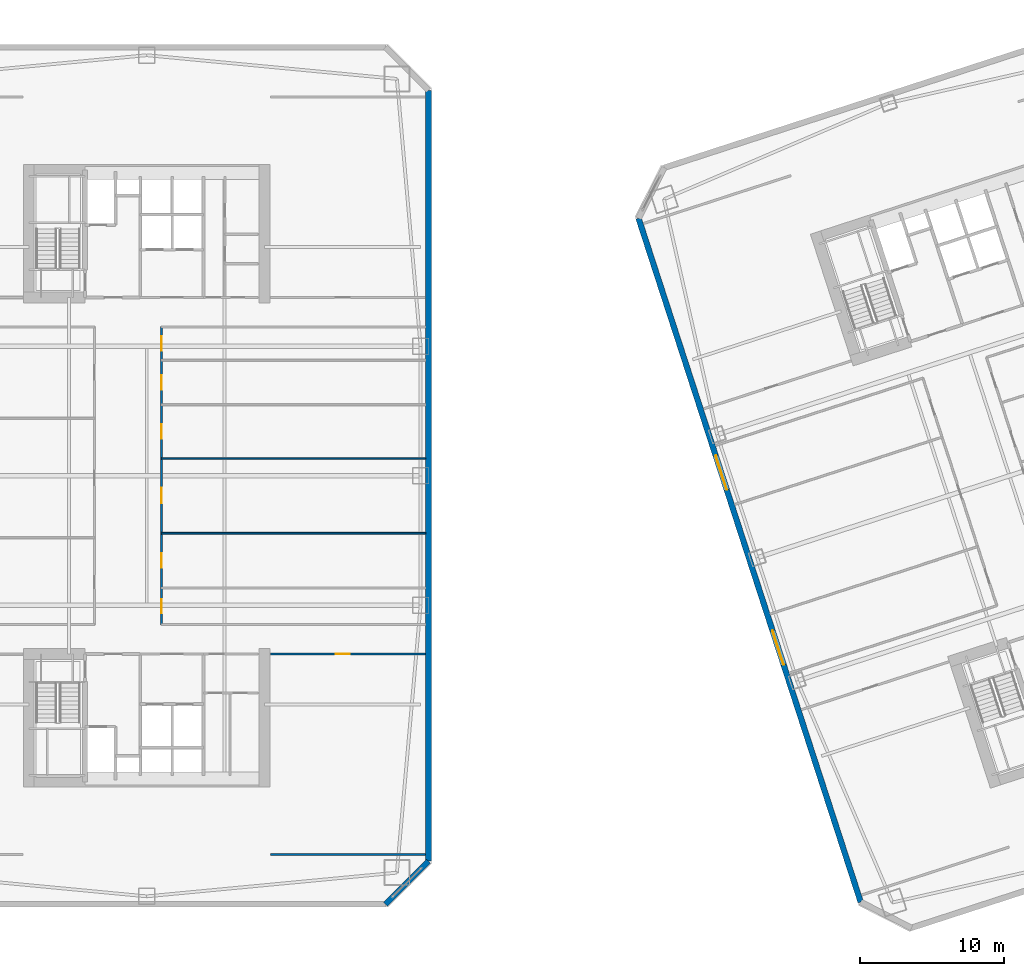
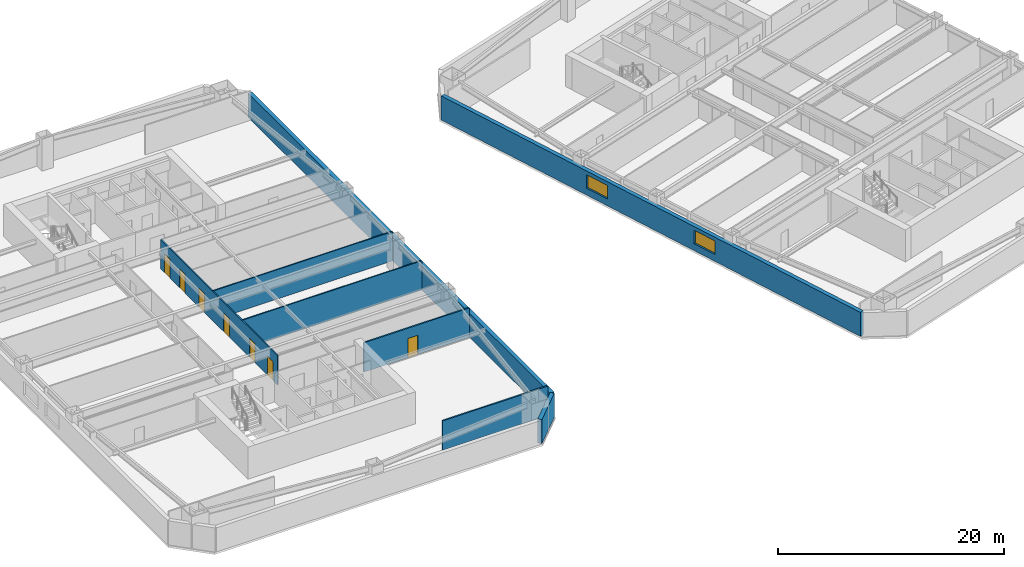
# One storey, part 11 of 19: 8 walls, 7 doors, 2 windows, 9 openings.
"""IFC4 building model written with IfcOpenShell, lengths in metres."""

from ifc_helpers import new_model, si_unit, direction, frame, frame_2d, origin, place, context, subcontext, project, spatial, rectangle, extrude, material, layer, layer_set, type_object, element, fill, save


model = new_model("IFC4")

# Units and contexts
model_context = context("Model", 3, precision=1e-05, world=origin(), true_north=direction((0.0, 1.0)))
body_context = subcontext(model_context, "Body", "Model", "MODEL_VIEW")
ifc_project = project(units=[si_unit("LENGTHUNIT", "METRE"), si_unit("AREAUNIT", "SQUARE_METRE"), si_unit("VOLUMEUNIT", "CUBIC_METRE"), si_unit("PLANEANGLEUNIT", "RADIAN"), si_unit("MASSUNIT", "GRAM", prefix="KILO")], contexts=[model_context])

# Site, building, storey
site_placement = place(None, origin())
site = spatial("IfcSite", under=ifc_project, at=site_placement, CompositionType="ELEMENT")
building_placement = place(site_placement, origin())
building = spatial("IfcBuilding", under=site, at=building_placement, Name="Qiaolan Cultural Towers", CompositionType="ELEMENT")
storey_placement = place(building_placement, frame((0.0, 0.0, 54.050048828125)))
storey = spatial("IfcBuildingStorey", under=building, at=storey_placement, Name="L12", CompositionType="ELEMENT", Elevation=54.050048828125)

# Walls
ifc_material_1 = material(Name="Precast Concrete C50 Honed Stone Pier", Category="masonry")
ifc_layer_1 = layer(ifc_material_1, 0.39990234375)
ifc_layer_set_1 = layer_set([ifc_layer_1], Name="Precast Concrete C50 Honed Stone Pier")
wall_type_1 = type_object("IfcWallType", Name="WL-EXT-PIER-400", PredefinedType="SOLIDWALL", material=ifc_layer_set_1)
wall_1_placement = place(storey_placement, frame((49.60009765625, 60.800048828125, 0.0), z_axis=(0.0, 0.0, 1.0), x_axis=(0.0, -1.0, 0.0)))
element("IfcWall", 1, at=wall_1_placement, inside=storey, type_object=wall_type_1, Name="L12 West Tower Precast Pier Facade Wall F5", PredefinedType="SOLIDWALL", context=body_context, shape_type="SweptSolid", body=[
    extrude(rectangle(XDim=53.60009765625, YDim=0.39990234375, at=frame_2d((26.800048828125, 0.0))), origin(), (0.0, 0.0, 1.0), 2.60986328125),
])
wall_2_placement = place(storey_placement, frame((49.60009765625, 7.199951171875, 0.0), z_axis=(0.0, 0.0, 1.0), x_axis=(-0.707106781187, -0.707106781187, 0.0)))
element("IfcWall", 2, at=wall_2_placement, inside=storey, type_object=wall_type_1, Name="L12 West Tower Precast Pier Facade Wall F6", PredefinedType="SOLIDWALL", context=body_context, shape_type="SweptSolid", body=[
    extrude(rectangle(XDim=4.24267578125, YDim=0.39990234375, at=frame_2d((2.121337890625, 0.0))), origin(), (0.0, 0.0, 1.0), 2.60986328125),
])

# Wall, openings, windows
wall_3_placement = place(storey_placement, frame((79.6552734375, 4.352294921875, 0.0), z_axis=(0.0, 0.0, 1.0), x_axis=(-0.309014526607, 0.951057318118, 0.0)))
wall_3 = element("IfcWall", 3, at=wall_3_placement, inside=storey, type_object=wall_type_1, Name="L12 East Tower Precast Pier Facade Wall F1", PredefinedType="SOLIDWALL", context=body_context, shape_type="SweptSolid", body=[
    extrude(rectangle(XDim=49.999755859375, YDim=0.39990234375, at=frame_2d((25.0, 0.0))), origin(), (0.0, 0.0, 1.0), 2.60986328125),
])
opening_1_placement = place(wall_3_placement, frame((17.35009765625, 0.0, 0.75)))
opening_1 = element("IfcOpeningElement", 4, at=opening_1_placement, cuts=wall_3, Name="Opening W-01", PredefinedType="OPENING", context=body_context, shape_type="SweptSolid", body=[
    extrude(rectangle(XDim=2.5, YDim=1.4599609375, at=frame_2d((1.25, 0.72998046875))), frame((0.0, 0.2099609375, 0.0), z_axis=(0.0, -1.0, 0.0), x_axis=(1.0, 0.0, 0.0)), (0.0, 0.0, 1.0), 0.419921875),
])
opening_2_placement = place(wall_3_placement, frame((30.14990234375, 0.0, 0.75)))
opening_2 = element("IfcOpeningElement", 5, at=opening_2_placement, cuts=wall_3, Name="Opening W-01", PredefinedType="OPENING", context=body_context, shape_type="SweptSolid", body=[
    extrude(rectangle(XDim=2.5, YDim=1.4599609375, at=frame_2d((1.25, 0.72998046875))), frame((0.0, 0.2099609375, 0.0), z_axis=(0.0, -1.0, 0.0), x_axis=(1.0, 0.0, 0.0)), (0.0, 0.0, 1.0), 0.419921875),
])
ifc_material_2 = material(Name="Thermally Broken Aluminium Triple Low-E Glazing", Category="aluminium")
window_type = type_object("IfcWindowType", Name="WN-CHIC-2500", PartitioningType="SINGLE_PANEL", PredefinedType="WINDOW", material=ifc_material_2)
window_1_placement = place(opening_1_placement, origin())
window_1 = element("IfcWindow", 6, at=window_1_placement, inside=storey, type_object=window_type, Name="L12 T2 W Chicago Bay Window 1", OverallHeight=1.4599609375, OverallWidth=2.5, PartitioningType="TRIPLE_PANEL_VERTICAL", PredefinedType="WINDOW", context=body_context, shape_type="SweptSolid", body=[
    extrude(rectangle(XDim=2.5, YDim=1.4599609375, at=frame_2d((1.25, 0.72998046875))), frame((0.0, 0.030029296875, 0.0), z_axis=(0.0, -1.0, 0.0), x_axis=(1.0, 0.0, 0.0)), (0.0, 0.0, 1.0), 0.06005859375),
])
fill(opening_1, window_1)
window_2_placement = place(opening_2_placement, origin())
window_2 = element("IfcWindow", 7, at=window_2_placement, inside=storey, type_object=window_type, Name="L12 T2 W Chicago Bay Window 2", OverallHeight=1.4599609375, OverallWidth=2.5, PartitioningType="TRIPLE_PANEL_VERTICAL", PredefinedType="WINDOW", context=body_context, shape_type="SweptSolid", body=[
    extrude(rectangle(XDim=2.5, YDim=1.4599609375, at=frame_2d((1.25, 0.72998046875))), frame((0.0, 0.030029296875, 0.0), z_axis=(0.0, -1.0, 0.0), x_axis=(1.0, 0.0, 0.0)), (0.0, 0.0, 1.0), 0.06005859375),
])
fill(opening_2, window_2)

# Wall, openings, doors
ifc_material_3 = material(Name="Gypsum Stud Acoustic Partition", Category="gypsum")
ifc_layer_2 = layer(ifc_material_3, 0.1201171875)
ifc_layer_set_2 = layer_set([ifc_layer_2], Name="Gypsum Stud Acoustic Partition")
wall_type_2 = type_object("IfcWallType", Name="WL-PART-120", PredefinedType="PARTITIONING", material=ifc_layer_set_2)
wall_4_placement = place(storey_placement, frame((31.02490234375, 23.64990234375, 0.0), z_axis=(0.0, 0.0, 1.0), x_axis=(0.0, 1.0, 0.0)))
wall_4 = element("IfcWall", 8, at=wall_4_placement, inside=storey, type_object=wall_type_2, Name="L12 T1 East Spine Wall", PredefinedType="PARTITIONING", context=body_context, shape_type="SweptSolid", body=[
    extrude(rectangle(XDim=20.7001953125, YDim=0.1201171875, at=frame_2d((10.35009765625, 0.0))), origin(), (0.0, 0.0, 1.0), 3.175048828125),
])
opening_3_placement = place(wall_4_placement, frame((0.77490234375, 0.0, 0.0)))
opening_3 = element("IfcOpeningElement", 9, at=opening_3_placement, cuts=wall_4, Name="Opening ID-04", PredefinedType="OPENING", context=body_context, shape_type="SweptSolid", body=[
    extrude(rectangle(XDim=1.0, YDim=2.050048828125, at=frame_2d((0.5, 1.02490234375))), frame((0.0, 0.070068359375, 0.0), z_axis=(0.0, -1.0, 0.0), x_axis=(1.0, 0.0, 0.0)), (0.0, 0.0, 1.0), 0.14013671875),
])
opening_4_placement = place(wall_4_placement, frame((3.949951171875, 0.0, 0.0)))
opening_4 = element("IfcOpeningElement", 10, at=opening_4_placement, cuts=wall_4, Name="Opening ID-04", PredefinedType="OPENING", context=body_context, shape_type="SweptSolid", body=[
    extrude(rectangle(XDim=1.0, YDim=2.050048828125, at=frame_2d((0.5, 1.02490234375))), frame((0.0, 0.070068359375, 0.0), z_axis=(0.0, -1.0, 0.0), x_axis=(1.0, 0.0, 0.0)), (0.0, 0.0, 1.0), 0.14013671875),
])
opening_5_placement = place(wall_4_placement, frame((8.455078125, 0.0, 0.0)))
opening_5 = element("IfcOpeningElement", 11, at=opening_5_placement, cuts=wall_4, Name="Opening ID-07", PredefinedType="OPENING", context=body_context, shape_type="SweptSolid", body=[
    extrude(rectangle(XDim=1.050048828125, YDim=2.050048828125, at=frame_2d((0.52490234375, 1.02490234375))), frame((0.0, 0.070068359375, 0.0), z_axis=(0.0, -1.0, 0.0), x_axis=(1.0, 0.0, 0.0)), (0.0, 0.0, 1.0), 0.14013671875),
])
opening_6_placement = place(wall_4_placement, frame((12.923095703125, 0.0, 0.0)))
opening_6 = element("IfcOpeningElement", 12, at=opening_6_placement, cuts=wall_4, Name="Opening ID-04", PredefinedType="OPENING", context=body_context, shape_type="SweptSolid", body=[
    extrude(rectangle(XDim=1.0, YDim=2.050048828125, at=frame_2d((0.5, 1.02490234375))), frame((0.0, 0.070068359375, 0.0), z_axis=(0.0, -1.0, 0.0), x_axis=(1.0, 0.0, 0.0)), (0.0, 0.0, 1.0), 0.14013671875),
])
opening_7_placement = place(wall_4_placement, frame((16.33837890625, 0.0, 0.0)))
opening_7 = element("IfcOpeningElement", 13, at=opening_7_placement, cuts=wall_4, Name="Opening ID-04", PredefinedType="OPENING", context=body_context, shape_type="SweptSolid", body=[
    extrude(rectangle(XDim=1.0, YDim=2.050048828125, at=frame_2d((0.5, 1.02490234375))), frame((0.0, 0.070068359375, 0.0), z_axis=(0.0, -1.0, 0.0), x_axis=(1.0, 0.0, 0.0)), (0.0, 0.0, 1.0), 0.14013671875),
])
opening_8_placement = place(wall_4_placement, frame((19.04541015625, 0.0, 0.0)))
opening_8 = element("IfcOpeningElement", 14, at=opening_8_placement, cuts=wall_4, Name="Opening ID-04", PredefinedType="OPENING", context=body_context, shape_type="SweptSolid", body=[
    extrude(rectangle(XDim=1.0, YDim=2.050048828125, at=frame_2d((0.5, 1.02490234375))), frame((0.0, 0.070068359375, 0.0), z_axis=(0.0, -1.0, 0.0), x_axis=(1.0, 0.0, 0.0)), (0.0, 0.0, 1.0), 0.14013671875),
])
ifc_material_4 = material(Name="Oak Veneer Acoustic Office Door", Category="timber")
door_type_1 = type_object("IfcDoorType", Name="DR-INT-1000", OperationType="NOTDEFINED", PredefinedType="DOOR", material=ifc_material_4)
door_1_placement = place(opening_3_placement, origin())
door_1 = element("IfcDoor", 15, at=door_1_placement, inside=storey, type_object=door_type_1, Name="L12 T1 Architecture Studio Door", OperationType="SINGLE_SWING_RIGHT", OverallHeight=2.050048828125, OverallWidth=1.0, PredefinedType="DOOR", context=body_context, shape_type="SweptSolid", body=[
    extrude(rectangle(XDim=1.0, YDim=2.050048828125, at=frame_2d((0.5, 1.02490234375))), frame((0.0, 0.02490234375, 0.0), z_axis=(0.0, -1.0, 0.0), x_axis=(1.0, 0.0, 0.0)), (0.0, 0.0, 1.0), 0.050048828125),
])
fill(opening_3, door_1)
door_2_placement = place(opening_4_placement, origin())
door_2 = element("IfcDoor", 16, at=door_2_placement, inside=storey, type_object=door_type_1, Name="L12 T1 Architecture Studio Door", OperationType="SINGLE_SWING_LEFT", OverallHeight=2.050048828125, OverallWidth=1.0, PredefinedType="DOOR", context=body_context, shape_type="SweptSolid", body=[
    extrude(rectangle(XDim=1.0, YDim=2.050048828125, at=frame_2d((0.5, 1.02490234375))), frame((0.0, 0.02490234375, 0.0), z_axis=(0.0, -1.0, 0.0), x_axis=(1.0, 0.0, 0.0)), (0.0, 0.0, 1.0), 0.050048828125),
])
fill(opening_4, door_2)
door_3_placement = place(opening_6_placement, origin())
door_3 = element("IfcDoor", 17, at=door_3_placement, inside=storey, type_object=door_type_1, Name="L12 T1 Architecture Studio Door", OperationType="SINGLE_SWING_LEFT", OverallHeight=2.050048828125, OverallWidth=1.0, PredefinedType="DOOR", context=body_context, shape_type="SweptSolid", body=[
    extrude(rectangle(XDim=1.0, YDim=2.050048828125, at=frame_2d((0.5, 1.02490234375))), frame((0.0, 0.02490234375, 0.0), z_axis=(0.0, -1.0, 0.0), x_axis=(1.0, 0.0, 0.0)), (0.0, 0.0, 1.0), 0.050048828125),
])
fill(opening_6, door_3)
door_4_placement = place(opening_7_placement, origin())
door_4 = element("IfcDoor", 18, at=door_4_placement, inside=storey, type_object=door_type_1, Name="L12 T1 Model Workshop Door", OperationType="SINGLE_SWING_RIGHT", OverallHeight=2.050048828125, OverallWidth=1.0, PredefinedType="DOOR", context=body_context, shape_type="SweptSolid", body=[
    extrude(rectangle(XDim=1.0, YDim=2.050048828125, at=frame_2d((0.5, 1.02490234375))), frame((0.0, 0.02490234375, 0.0), z_axis=(0.0, -1.0, 0.0), x_axis=(1.0, 0.0, 0.0)), (0.0, 0.0, 1.0), 0.050048828125),
])
fill(opening_7, door_4)
door_5_placement = place(opening_8_placement, origin())
door_5 = element("IfcDoor", 19, at=door_5_placement, inside=storey, type_object=door_type_1, Name="L12 T1 Espresso Pantry Door", OperationType="SINGLE_SWING_LEFT", OverallHeight=2.050048828125, OverallWidth=1.0, PredefinedType="DOOR", context=body_context, shape_type="SweptSolid", body=[
    extrude(rectangle(XDim=1.0, YDim=2.050048828125, at=frame_2d((0.5, 1.02490234375))), frame((0.0, 0.02490234375, 0.0), z_axis=(0.0, -1.0, 0.0), x_axis=(1.0, 0.0, 0.0)), (0.0, 0.0, 1.0), 0.050048828125),
])
fill(opening_8, door_5)
ifc_material_5 = material(Name="Oak Veneer Consultation Door", Category="timber")
door_type_2 = type_object("IfcDoorType", Name="DR-INT-1050", OperationType="NOTDEFINED", PredefinedType="DOOR", material=ifc_material_5)
door_6_placement = place(opening_5_placement, origin())
door_6 = element("IfcDoor", 20, at=door_6_placement, inside=storey, type_object=door_type_2, Name="L12 T1 Architecture Studio Door", OperationType="SINGLE_SWING_RIGHT", OverallHeight=2.050048828125, OverallWidth=1.050048828125, PredefinedType="DOOR", context=body_context, shape_type="SweptSolid", body=[
    extrude(rectangle(XDim=1.050048828125, YDim=2.050048828125, at=frame_2d((0.52490234375, 1.02490234375))), frame((0.0, 0.02490234375, 0.0), z_axis=(0.0, -1.0, 0.0), x_axis=(1.0, 0.0, 0.0)), (0.0, 0.0, 1.0), 0.050048828125),
])
fill(opening_5, door_6)

# Walls
for number, where, z_axis, x_axis, name in (
    (21, (31.02490234375, 30.0, 0.0), (0.0, 0.0, 1.0), (1.0, 0.0, 0.0), "L12 T1 East Partition 2"),
    (22, (31.02490234375, 35.2099609375, 0.0), (0.0, 0.0, 1.0), (1.0, 0.0, 0.0), "L12 T1 East Partition 3"),
):
    element("IfcWall", number, at=place(storey_placement, frame(where, z_axis=z_axis, x_axis=x_axis)), inside=storey, type_object=wall_type_2, Name=name, PredefinedType="PARTITIONING", context=body_context, shape_type="SweptSolid", body=[
        extrude(rectangle(XDim=18.375, YDim=0.1201171875, at=frame_2d((9.1875, 0.0))), origin(), (0.0, 0.0, 1.0), 3.175048828125),
    ])
ifc_material_6 = material(Name="Autoclaved Aerated Concrete Block B06", Category="concrete")
ifc_layer_3 = layer(ifc_material_6, 0.14990234375)
ifc_layer_set_3 = layer_set([ifc_layer_3], Name="Autoclaved Aerated Concrete Block B06")
wall_type_3 = type_object("IfcWallType", Name="WL-PART-150", PredefinedType="PARTITIONING", material=ifc_layer_set_3)
wall_5_placement = place(storey_placement, frame((38.60009765625, 7.64990234375, 0.0), z_axis=(0.0, 0.0, 1.0), x_axis=(1.0, 0.0, 0.0)))
element("IfcWall", 23, at=wall_5_placement, inside=storey, type_object=wall_type_3, Name="L12 T1 Flank Wall FLK-SE", PredefinedType="PARTITIONING", context=body_context, shape_type="SweptSolid", body=[
    extrude(rectangle(XDim=10.7998046875, YDim=0.14990234375, at=frame_2d((5.39990234375, 0.0))), origin(), (0.0, 0.0, 1.0), 3.175048828125),
])

# Wall, opening, door
wall_6_placement = place(storey_placement, frame((38.60009765625, 21.60009765625, 0.0), z_axis=(0.0, 0.0, 1.0), x_axis=(1.0, 0.0, 0.0)))
wall_6 = element("IfcWall", 24, at=wall_6_placement, inside=storey, type_object=wall_type_3, Name="L12 T1 Flank Front FLK-SE", PredefinedType="PARTITIONING", context=body_context, shape_type="SweptSolid", body=[
    extrude(rectangle(XDim=10.7998046875, YDim=0.14990234375, at=frame_2d((5.39990234375, 0.0))), origin(), (0.0, 0.0, 1.0), 3.175048828125),
])
opening_9_placement = place(wall_6_placement, frame((4.535888671875, 0.0, 0.0)))
opening_9 = element("IfcOpeningElement", 25, at=opening_9_placement, cuts=wall_6, Name="Opening ID-04", PredefinedType="OPENING", context=body_context, shape_type="SweptSolid", body=[
    extrude(rectangle(XDim=1.0, YDim=2.050048828125, at=frame_2d((0.5, 1.02490234375))), frame((0.0, 0.0849609375, 0.0), z_axis=(0.0, -1.0, 0.0), x_axis=(1.0, 0.0, 0.0)), (0.0, 0.0, 1.0), 0.169921875),
])
door_7_placement = place(opening_9_placement, origin())
door_7 = element("IfcDoor", 26, at=door_7_placement, inside=storey, type_object=door_type_1, Name="L12 T1 Corner Studio Door", OperationType="SINGLE_SWING_LEFT", OverallHeight=2.050048828125, OverallWidth=1.0, PredefinedType="DOOR", context=body_context, shape_type="SweptSolid", body=[
    extrude(rectangle(XDim=1.0, YDim=2.050048828125, at=frame_2d((0.5, 1.02490234375))), frame((0.0, 0.02490234375, 0.0), z_axis=(0.0, -1.0, 0.0), x_axis=(1.0, 0.0, 0.0)), (0.0, 0.0, 1.0), 0.050048828125),
])
fill(opening_9, door_7)

save(model, "model.ifc")
